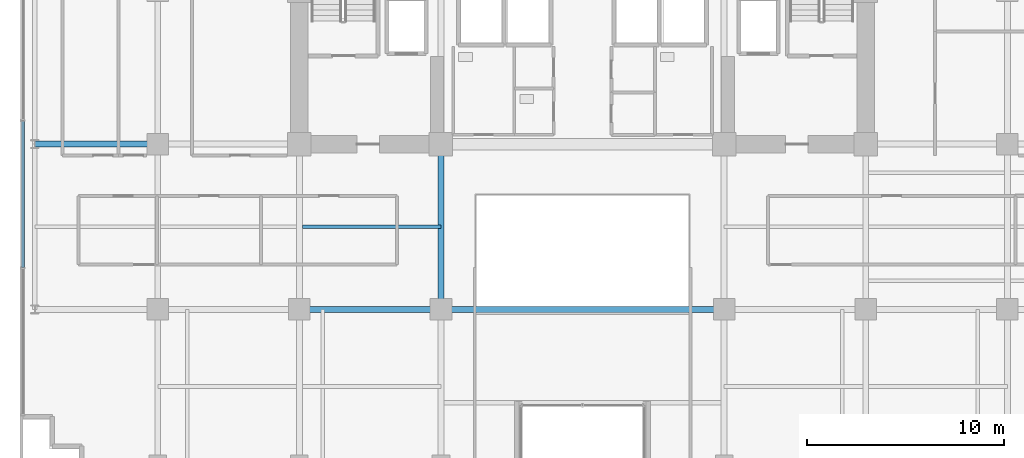
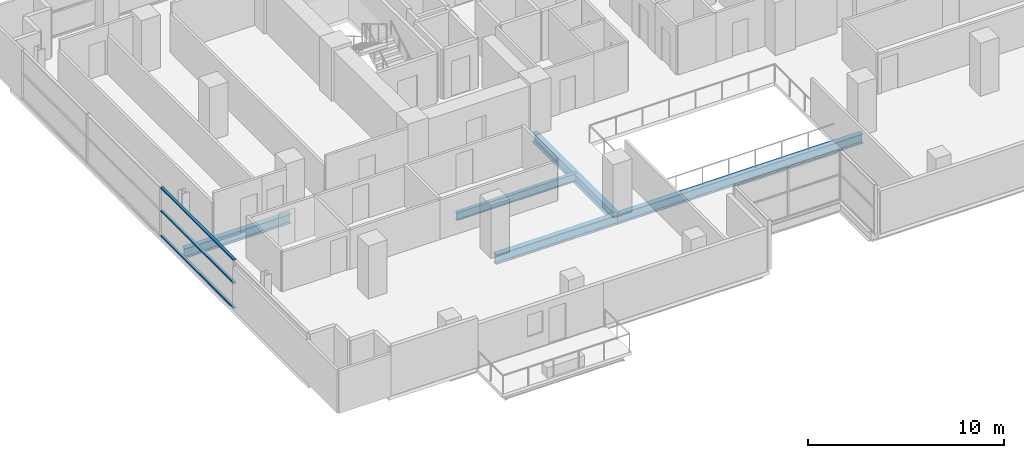
# One storey, part 7 of 26: 5 beams, 3 members, 1 element without a shape of its own.
"""IFC4 building model written with IfcOpenShell, lengths in metres."""

from ifc_helpers import new_model, si_unit, direction, frame, origin, origin_2d, place, context, subcontext, project, spatial, hollow_rectangle, i_section, extrude, source, transform, mapped, material, layer, layer_set, material_profile, profile_set, type_object, element, aggregate, save


model = new_model("IFC4")

# Units and contexts
model_context = context("Model", 3, precision=1e-05, world=origin(), true_north=direction((0.0, 1.0)))
body_context = subcontext(model_context, "Body", "Model", "MODEL_VIEW")
ifc_project = project(units=[si_unit("LENGTHUNIT", "METRE"), si_unit("AREAUNIT", "SQUARE_METRE"), si_unit("VOLUMEUNIT", "CUBIC_METRE"), si_unit("PLANEANGLEUNIT", "RADIAN"), si_unit("MASSUNIT", "GRAM", prefix="KILO")], contexts=[model_context])

# Site, building, storey
site_placement = place(None, origin())
site = spatial("IfcSite", under=ifc_project, at=site_placement, CompositionType="ELEMENT")
building_placement = place(site_placement, origin())
building = spatial("IfcBuilding", under=site, at=building_placement, Name="Zarnakvel Exchange Tower", CompositionType="ELEMENT")
storey_placement = place(building_placement, frame((0.0, 0.0, 70.300048828125)))
storey = spatial("IfcBuildingStorey", under=building, at=storey_placement, Name="L19", CompositionType="ELEMENT", Elevation=70.300048828125)

# Beams
ifc_material_1 = material(Name="Steel S355", Category="steel")
ifc_material_profile_1 = material_profile(ifc_material_1, i_section(OverallWidth=0.199951171875, OverallDepth=0.5, WebThickness=0.01025390625, FlangeThickness=0.01611328125, FilletRadius=0.02099609375, at=origin_2d()))
ifc_profile_set_1 = profile_set([ifc_material_profile_1], Name="Steel S355")
beam_type_1 = type_object("IfcBeamType", Name="B-04", PredefinedType="JOIST", material=ifc_profile_set_1)
beam_1_placement = place(storey_placement, frame((-14.25, -5.39990234375, -0.47509765625), z_axis=(1.0, 0.0, 0.0), x_axis=(0.0, 1.0, 0.0)))
element("IfcBeam", 1, at=beam_1_placement, inside=storey, type_object=beam_type_1, Name="L19 Composite Floor Secondary Joist", PredefinedType="JOIST", context=body_context, shape_type="SweptSolid", body=[
    extrude(i_section(OverallWidth=0.199951171875, OverallDepth=0.5, WebThickness=0.01025390625, FlangeThickness=0.01611328125, FilletRadius=0.02099609375, at=origin_2d()), origin(), (0.0, 0.0, 1.0), 7.050048828125),
])
ifc_material_profile_2 = material_profile(ifc_material_1, i_section(OverallWidth=0.300048828125, OverallDepth=0.60009765625, WebThickness=0.015380859375, FlangeThickness=0.030029296875, FilletRadius=0.027099609375, at=origin_2d()))
ifc_profile_set_2 = profile_set([ifc_material_profile_2], Name="Steel S355")
beam_type_2 = type_object("IfcBeamType", Name="G-04", PredefinedType="BEAM", material=ifc_profile_set_2)
beam_2_placement = place(storey_placement, frame((-14.39990234375, -9.60009765625, -0.525146484375), z_axis=(1.0, 0.0, 0.0), x_axis=(0.0, 1.0, 0.0)))
element("IfcBeam", 2, at=beam_2_placement, inside=storey, type_object=beam_type_2, Name="L19 Tower E-W Frame Beam", PredefinedType="BEAM", context=body_context, shape_type="SweptSolid", body=[
    extrude(i_section(OverallWidth=0.300048828125, OverallDepth=0.60009765625, WebThickness=0.015380859375, FlangeThickness=0.030029296875, FilletRadius=0.027099609375, at=origin_2d()), origin(), (0.0, 0.0, 1.0), 7.199951171875),
])
beam_3_placement = place(storey_placement, frame((-7.199951171875, -9.60009765625, -0.525146484375), z_axis=(1.0, 0.0, 0.0), x_axis=(0.0, 1.0, 0.0)))
element("IfcBeam", 3, at=beam_3_placement, inside=storey, type_object=beam_type_2, Name="L19 Tower E-W Frame Beam", PredefinedType="BEAM", context=body_context, shape_type="SweptSolid", body=[
    extrude(i_section(OverallWidth=0.300048828125, OverallDepth=0.60009765625, WebThickness=0.015380859375, FlangeThickness=0.030029296875, FilletRadius=0.027099609375, at=origin_2d()), origin(), (0.0, 0.0, 1.0), 14.39990234375),
])
beam_4_placement = place(storey_placement, frame((-27.85009765625, -1.199951171875, -0.525146484375), z_axis=(1.0, 0.0, 0.0), x_axis=(0.0, 1.0, 0.0)))
element("IfcBeam", 4, at=beam_4_placement, inside=storey, type_object=beam_type_2, Name="L19 Tower E-W Frame Beam", PredefinedType="BEAM", context=body_context, shape_type="SweptSolid", body=[
    extrude(i_section(OverallWidth=0.300048828125, OverallDepth=0.60009765625, WebThickness=0.015380859375, FlangeThickness=0.030029296875, FilletRadius=0.027099609375, at=origin_2d()), origin(), (0.0, 0.0, 1.0), 6.25),
])
beam_5_placement = place(storey_placement, frame((-7.199951171875, -9.60009765625, -0.525146484375), z_axis=(0.0, 1.0, 0.0), x_axis=(-1.0, 0.0, 0.0)))
element("IfcBeam", 5, at=beam_5_placement, inside=storey, type_object=beam_type_2, Name="L19 Tower N-S Frame Beam", PredefinedType="BEAM", context=body_context, shape_type="SweptSolid", body=[
    extrude(i_section(OverallWidth=0.300048828125, OverallDepth=0.60009765625, WebThickness=0.015380859375, FlangeThickness=0.030029296875, FilletRadius=0.027099609375, at=origin_2d()), origin(), (0.0, 0.0, 1.0), 8.400146484375),
])

# Curtain wall, members
ifc_material_2 = material(Name="Architectural Bronze Anodised Aluminium", Category="aluminium")
ifc_layer = layer(ifc_material_2, 0.199951171875)
ifc_layer_set = layer_set([ifc_layer], Name="Architectural Bronze Anodised Aluminium")
curtain_wall_type = type_object("IfcCurtainWallType", Name="CW-04", PredefinedType="NOTDEFINED", material=ifc_layer_set)
curtain_wall_placement = place(storey_placement, origin())
curtain_wall = element("IfcCurtainWall", 6, at=curtain_wall_placement, inside=storey, type_object=curtain_wall_type, Name="L19 Curtain Wall CW-L19-W1 (CW-04)", PredefinedType="NOTDEFINED")
ifc_material_profile_3 = material_profile(ifc_material_2, hollow_rectangle(XDim=0.159912109375, YDim=0.074951171875, WallThickness=0.00390625, at=origin_2d()))
ifc_profile_set_3 = profile_set([ifc_material_profile_3], Name="Architectural Bronze Anodised Aluminium")
member_type = type_object("IfcMemberType", Name="CWT-04", PredefinedType="USERDEFINED", material=ifc_profile_set_3)
shared_shape = source(origin(), body_context, "Body", "SweptSolid", [
    extrude(hollow_rectangle(XDim=0.159912109375, YDim=0.074951171875, WallThickness=0.00390625, at=origin_2d()), origin(), (0.0, 0.0, 1.0), 7.4248046875),
])
member_1_placement = place(storey_placement, frame((-28.4599609375, -7.46240234375, 0.037353515625), z_axis=(0.0, 1.0, 0.0), x_axis=(-1.0, 0.0, 0.0)))
member_1 = element("IfcMember", 7, at=member_1_placement, type_object=member_type, Name="CW-04 transom 2.1", ObjectType="TRANSOM", PredefinedType="USERDEFINED", context=body_context, shape_type="MappedRepresentation", body=[
    mapped(shared_shape, transform((0.0, 0.0, 0.0), x_axis=(1.0, 0.0, 0.0), y_axis=(0.0, 1.0, 0.0), z_axis=(0.0, 0.0, 1.0), scale=1.0)),
])
member_2_placement = place(storey_placement, frame((-28.4599609375, -7.46240234375, 1.588623046875), z_axis=(0.0, 1.0, 0.0), x_axis=(-1.0, 0.0, 0.0)))
member_2 = element("IfcMember", 8, at=member_2_placement, type_object=member_type, Name="CW-04 transom 2.2", ObjectType="TRANSOM", PredefinedType="USERDEFINED", context=body_context, shape_type="MappedRepresentation", body=[
    mapped(shared_shape, transform((0.0, 0.0, 0.0), x_axis=(1.0, 0.0, 0.0), y_axis=(0.0, 1.0, 0.0), z_axis=(0.0, 0.0, 1.0), scale=1.0)),
])
member_3_placement = place(storey_placement, frame((-28.4599609375, -7.46240234375, 3.017333984375), z_axis=(0.0, 1.0, 0.0), x_axis=(-1.0, 0.0, 0.0)))
member_3 = element("IfcMember", 9, at=member_3_placement, type_object=member_type, Name="CW-04 transom 2.3", ObjectType="TRANSOM", PredefinedType="USERDEFINED", context=body_context, shape_type="MappedRepresentation", body=[
    mapped(shared_shape, transform((0.0, 0.0, 0.0), x_axis=(1.0, 0.0, 0.0), y_axis=(0.0, 1.0, 0.0), z_axis=(0.0, 0.0, 1.0), scale=1.0)),
])
aggregate(curtain_wall, [member_1, member_2, member_3])

save(model, "model.ifc")
